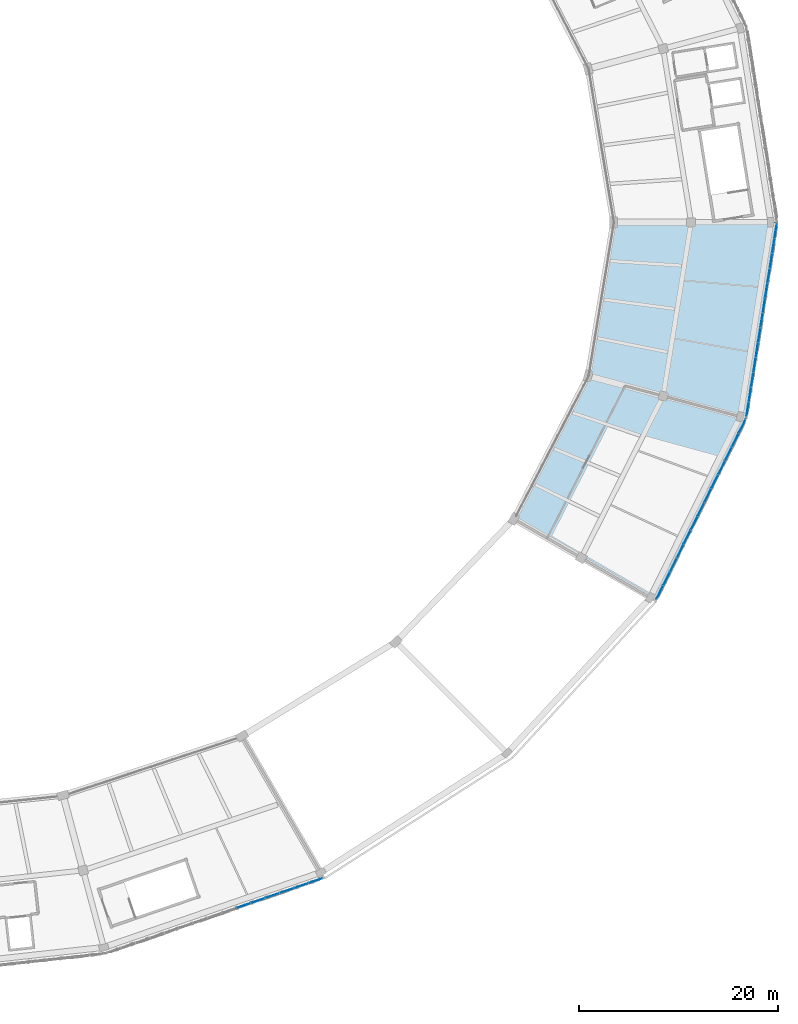
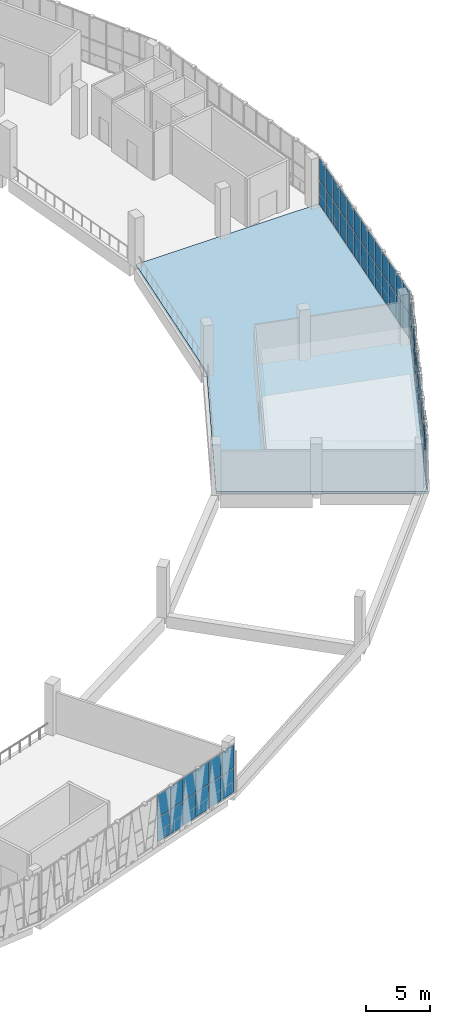
# One storey, part 38 of 64: 64 plates, 1 slab, 3 elements without a shape of their own.
"""IFC4 building model written with IfcOpenShell, lengths in metres."""

from ifc_helpers import new_model, si_unit, direction, frame, origin, origin_2d, place, context, subcontext, project, spatial, polyline, rectangle, outline, extrude, material, layer, layer_set, type_object, element, aggregate, save


model = new_model("IFC4")

# Units and contexts
model_context = context("Model", 3, precision=1e-05, world=origin(), true_north=direction((0.0, 1.0)))
body_context = subcontext(model_context, "Body", "Model", "MODEL_VIEW")
ifc_project = project(units=[si_unit("LENGTHUNIT", "METRE"), si_unit("AREAUNIT", "SQUARE_METRE"), si_unit("VOLUMEUNIT", "CUBIC_METRE"), si_unit("PLANEANGLEUNIT", "RADIAN"), si_unit("MASSUNIT", "GRAM", prefix="KILO")], contexts=[model_context])

# Site, building, storey
site_placement = place(None, origin())
site = spatial("IfcSite", under=ifc_project, at=site_placement, CompositionType="ELEMENT")
building_placement = place(site_placement, origin())
building = spatial("IfcBuilding", under=site, at=building_placement, Name="Zevraka Park Crest Stadium", CompositionType="ELEMENT")
storey_placement = place(building_placement, frame((0.0, 0.0, 24.60009765625)))
storey = spatial("IfcBuildingStorey", under=building, at=storey_placement, Name="L05", CompositionType="ELEMENT", Elevation=24.60009765625)

# Curtain wall, plates
ifc_material_1 = material(Name="Anodised architectural aluminium and laminated safety glass", Category="aluminium")
curtain_wall_type_1 = type_object("IfcCurtainWallType", Name="CW21", PredefinedType="NOTDEFINED", material=ifc_material_1)
curtain_wall_1_placement = place(storey_placement, origin())
curtain_wall_1 = element("IfcCurtainWall", 1, at=curtain_wall_1_placement, inside=storey, type_object=curtain_wall_type_1, Name="Unitised Ring Curtain Wall CW21 L05-23", PredefinedType="NOTDEFINED")
ifc_material_2 = material(Name="Solar-control laminated double glazing", Category="glass")
ifc_layer_1 = layer(ifc_material_2, 0.031982421875)
ifc_layer_set_1 = layer_set([ifc_layer_1], Name="Solar-control laminated double glazing")
plate_type_1 = type_object("IfcPlateType", Name="CP21", PredefinedType="CURTAIN_PANEL", material=ifc_layer_set_1)
plate_1_placement = place(storey_placement, frame((199.96240234375, 73.244140625, 0.06982421875), z_axis=(0.0, 0.0, 1.0), x_axis=(0.155711467527, 0.987802580924, 0.0)))
plate_1 = element("IfcPlate", 2, at=plate_1_placement, type_object=plate_type_1, Name="CW21 panel 1.1", PredefinedType="CURTAIN_PANEL", context=body_context, shape_type="SweptSolid", body=[
    extrude(rectangle(XDim=1.4052734375, YDim=0.031982421875, at=origin_2d()), origin(), (0.0, 0.0, 1.0), 2.294921875),
])
plate_2_placement = place(storey_placement, frame((199.96240234375, 73.244140625, 2.43505859375), z_axis=(0.0, 0.0, 1.0), x_axis=(0.155711467527, 0.987802580924, 0.0)))
plate_2 = element("IfcPlate", 3, at=plate_2_placement, type_object=plate_type_1, Name="CW21 panel 1.2", PredefinedType="CURTAIN_PANEL", context=body_context, shape_type="SweptSolid", body=[
    extrude(rectangle(XDim=1.4052734375, YDim=0.031982421875, at=origin_2d()), origin(), (0.0, 0.0, 1.0), 2.114990234375),
])
plate_3_placement = place(storey_placement, frame((200.19482421875, 74.71875, 0.06982421875), z_axis=(0.0, 0.0, 1.0), x_axis=(0.155711467527, 0.987802580924, 0.0)))
plate_3 = element("IfcPlate", 4, at=plate_3_placement, type_object=plate_type_1, Name="CW21 panel 2.1", PredefinedType="CURTAIN_PANEL", context=body_context, shape_type="SweptSolid", body=[
    extrude(rectangle(XDim=1.440185546875, YDim=0.031982421875, at=origin_2d()), origin(), (0.0, 0.0, 1.0), 2.294921875),
])
plate_4_placement = place(storey_placement, frame((200.19482421875, 74.71875, 2.43505859375), z_axis=(0.0, 0.0, 1.0), x_axis=(0.155711467527, 0.987802580924, 0.0)))
plate_4 = element("IfcPlate", 5, at=plate_4_placement, type_object=plate_type_1, Name="CW21 panel 2.2", PredefinedType="CURTAIN_PANEL", context=body_context, shape_type="SweptSolid", body=[
    extrude(rectangle(XDim=1.440185546875, YDim=0.031982421875, at=origin_2d()), origin(), (0.0, 0.0, 1.0), 2.114990234375),
])
plate_5_placement = place(storey_placement, frame((200.429931640625, 76.21044921875, 0.06982421875), z_axis=(0.0, 0.0, 1.0), x_axis=(0.155711467527, 0.987802580924, 0.0)))
plate_5 = element("IfcPlate", 6, at=plate_5_placement, type_object=plate_type_1, Name="CW21 panel 3.1", PredefinedType="CURTAIN_PANEL", context=body_context, shape_type="SweptSolid", body=[
    extrude(rectangle(XDim=1.440185546875, YDim=0.031982421875, at=origin_2d()), origin(), (0.0, 0.0, 1.0), 2.294921875),
])
plate_6_placement = place(storey_placement, frame((200.429931640625, 76.21044921875, 2.43505859375), z_axis=(0.0, 0.0, 1.0), x_axis=(0.155711467527, 0.987802580924, 0.0)))
plate_6 = element("IfcPlate", 7, at=plate_6_placement, type_object=plate_type_1, Name="CW21 panel 3.2", PredefinedType="CURTAIN_PANEL", context=body_context, shape_type="SweptSolid", body=[
    extrude(rectangle(XDim=1.440185546875, YDim=0.031982421875, at=origin_2d()), origin(), (0.0, 0.0, 1.0), 2.114990234375),
])
plate_7_placement = place(storey_placement, frame((200.6650390625, 77.7021484375, 0.06982421875), z_axis=(0.0, 0.0, 1.0), x_axis=(0.155711467527, 0.987802580924, 0.0)))
plate_7 = element("IfcPlate", 8, at=plate_7_placement, type_object=plate_type_1, Name="CW21 panel 4.1", PredefinedType="CURTAIN_PANEL", context=body_context, shape_type="SweptSolid", body=[
    extrude(rectangle(XDim=1.440185546875, YDim=0.031982421875, at=origin_2d()), origin(), (0.0, 0.0, 1.0), 2.294921875),
])
plate_8_placement = place(storey_placement, frame((200.6650390625, 77.7021484375, 2.43505859375), z_axis=(0.0, 0.0, 1.0), x_axis=(0.155711467527, 0.987802580924, 0.0)))
plate_8 = element("IfcPlate", 9, at=plate_8_placement, type_object=plate_type_1, Name="CW21 panel 4.2", PredefinedType="CURTAIN_PANEL", context=body_context, shape_type="SweptSolid", body=[
    extrude(rectangle(XDim=1.440185546875, YDim=0.031982421875, at=origin_2d()), origin(), (0.0, 0.0, 1.0), 2.114990234375),
])
plate_9_placement = place(storey_placement, frame((200.900146484375, 79.19384765625, 0.06982421875), z_axis=(0.0, 0.0, 1.0), x_axis=(0.155711467527, 0.987802580924, 0.0)))
plate_9 = element("IfcPlate", 10, at=plate_9_placement, type_object=plate_type_1, Name="CW21 panel 5.1", PredefinedType="CURTAIN_PANEL", context=body_context, shape_type="SweptSolid", body=[
    extrude(rectangle(XDim=1.440185546875, YDim=0.031982421875, at=origin_2d()), origin(), (0.0, 0.0, 1.0), 2.294921875),
])
plate_10_placement = place(storey_placement, frame((200.900146484375, 79.19384765625, 2.43505859375), z_axis=(0.0, 0.0, 1.0), x_axis=(0.155711467527, 0.987802580924, 0.0)))
plate_10 = element("IfcPlate", 11, at=plate_10_placement, type_object=plate_type_1, Name="CW21 panel 5.2", PredefinedType="CURTAIN_PANEL", context=body_context, shape_type="SweptSolid", body=[
    extrude(rectangle(XDim=1.440185546875, YDim=0.031982421875, at=origin_2d()), origin(), (0.0, 0.0, 1.0), 2.114990234375),
])
plate_11_placement = place(storey_placement, frame((201.13525390625, 80.685791015625, 0.06982421875), z_axis=(0.0, 0.0, 1.0), x_axis=(0.155711467527, 0.987802580924, 0.0)))
plate_11 = element("IfcPlate", 12, at=plate_11_placement, type_object=plate_type_1, Name="CW21 panel 6.1", PredefinedType="CURTAIN_PANEL", context=body_context, shape_type="SweptSolid", body=[
    extrude(rectangle(XDim=1.440185546875, YDim=0.031982421875, at=origin_2d()), origin(), (0.0, 0.0, 1.0), 2.294921875),
])
plate_12_placement = place(storey_placement, frame((201.13525390625, 80.685791015625, 2.43505859375), z_axis=(0.0, 0.0, 1.0), x_axis=(0.155711467527, 0.987802580924, 0.0)))
plate_12 = element("IfcPlate", 13, at=plate_12_placement, type_object=plate_type_1, Name="CW21 panel 6.2", PredefinedType="CURTAIN_PANEL", context=body_context, shape_type="SweptSolid", body=[
    extrude(rectangle(XDim=1.440185546875, YDim=0.031982421875, at=origin_2d()), origin(), (0.0, 0.0, 1.0), 2.114990234375),
])
plate_13_placement = place(storey_placement, frame((201.37060546875, 82.177490234375, 0.06982421875), z_axis=(0.0, 0.0, 1.0), x_axis=(0.155711467527, 0.987802580924, 0.0)))
plate_13 = element("IfcPlate", 14, at=plate_13_placement, type_object=plate_type_1, Name="CW21 panel 7.1", PredefinedType="CURTAIN_PANEL", context=body_context, shape_type="SweptSolid", body=[
    extrude(rectangle(XDim=1.440185546875, YDim=0.031982421875, at=origin_2d()), origin(), (0.0, 0.0, 1.0), 2.294921875),
])
plate_14_placement = place(storey_placement, frame((201.37060546875, 82.177490234375, 2.43505859375), z_axis=(0.0, 0.0, 1.0), x_axis=(0.155711467527, 0.987802580924, 0.0)))
plate_14 = element("IfcPlate", 15, at=plate_14_placement, type_object=plate_type_1, Name="CW21 panel 7.2", PredefinedType="CURTAIN_PANEL", context=body_context, shape_type="SweptSolid", body=[
    extrude(rectangle(XDim=1.440185546875, YDim=0.031982421875, at=origin_2d()), origin(), (0.0, 0.0, 1.0), 2.114990234375),
])
plate_15_placement = place(storey_placement, frame((201.605712890625, 83.669189453125, 0.06982421875), z_axis=(0.0, 0.0, 1.0), x_axis=(0.155711467527, 0.987802580924, 0.0)))
plate_15 = element("IfcPlate", 16, at=plate_15_placement, type_object=plate_type_1, Name="CW21 panel 8.1", PredefinedType="CURTAIN_PANEL", context=body_context, shape_type="SweptSolid", body=[
    extrude(rectangle(XDim=1.440185546875, YDim=0.031982421875, at=origin_2d()), origin(), (0.0, 0.0, 1.0), 2.294921875),
])
plate_16_placement = place(storey_placement, frame((201.605712890625, 83.669189453125, 2.43505859375), z_axis=(0.0, 0.0, 1.0), x_axis=(0.155711467527, 0.987802580924, 0.0)))
plate_16 = element("IfcPlate", 17, at=plate_16_placement, type_object=plate_type_1, Name="CW21 panel 8.2", PredefinedType="CURTAIN_PANEL", context=body_context, shape_type="SweptSolid", body=[
    extrude(rectangle(XDim=1.440185546875, YDim=0.031982421875, at=origin_2d()), origin(), (0.0, 0.0, 1.0), 2.114990234375),
])
plate_17_placement = place(storey_placement, frame((201.8408203125, 85.1611328125, 0.06982421875), z_axis=(0.0, 0.0, 1.0), x_axis=(0.155711467527, 0.987802580924, 0.0)))
plate_17 = element("IfcPlate", 18, at=plate_17_placement, type_object=plate_type_1, Name="CW21 panel 9.1", PredefinedType="CURTAIN_PANEL", context=body_context, shape_type="SweptSolid", body=[
    extrude(rectangle(XDim=1.440185546875, YDim=0.031982421875, at=origin_2d()), origin(), (0.0, 0.0, 1.0), 2.294921875),
])
plate_18_placement = place(storey_placement, frame((201.8408203125, 85.1611328125, 2.43505859375), z_axis=(0.0, 0.0, 1.0), x_axis=(0.155711467527, 0.987802580924, 0.0)))
plate_18 = element("IfcPlate", 19, at=plate_18_placement, type_object=plate_type_1, Name="CW21 panel 9.2", PredefinedType="CURTAIN_PANEL", context=body_context, shape_type="SweptSolid", body=[
    extrude(rectangle(XDim=1.440185546875, YDim=0.031982421875, at=origin_2d()), origin(), (0.0, 0.0, 1.0), 2.114990234375),
])
plate_19_placement = place(storey_placement, frame((202.075927734375, 86.65283203125, 0.06982421875), z_axis=(0.0, 0.0, 1.0), x_axis=(0.155711467527, 0.987802580924, 0.0)))
plate_19 = element("IfcPlate", 20, at=plate_19_placement, type_object=plate_type_1, Name="CW21 panel 10.1", PredefinedType="CURTAIN_PANEL", context=body_context, shape_type="SweptSolid", body=[
    extrude(rectangle(XDim=1.440185546875, YDim=0.031982421875, at=origin_2d()), origin(), (0.0, 0.0, 1.0), 2.294921875),
])
plate_20_placement = place(storey_placement, frame((202.075927734375, 86.65283203125, 2.43505859375), z_axis=(0.0, 0.0, 1.0), x_axis=(0.155711467527, 0.987802580924, 0.0)))
plate_20 = element("IfcPlate", 21, at=plate_20_placement, type_object=plate_type_1, Name="CW21 panel 10.2", PredefinedType="CURTAIN_PANEL", context=body_context, shape_type="SweptSolid", body=[
    extrude(rectangle(XDim=1.440185546875, YDim=0.031982421875, at=origin_2d()), origin(), (0.0, 0.0, 1.0), 2.114990234375),
])
plate_21_placement = place(storey_placement, frame((202.31103515625, 88.14453125, 0.06982421875), z_axis=(0.0, 0.0, 1.0), x_axis=(0.155711467527, 0.987802580924, 0.0)))
plate_21 = element("IfcPlate", 22, at=plate_21_placement, type_object=plate_type_1, Name="CW21 panel 11.1", PredefinedType="CURTAIN_PANEL", context=body_context, shape_type="SweptSolid", body=[
    extrude(rectangle(XDim=1.440185546875, YDim=0.031982421875, at=origin_2d()), origin(), (0.0, 0.0, 1.0), 2.294921875),
])
plate_22_placement = place(storey_placement, frame((202.31103515625, 88.14453125, 2.43505859375), z_axis=(0.0, 0.0, 1.0), x_axis=(0.155711467527, 0.987802580924, 0.0)))
plate_22 = element("IfcPlate", 23, at=plate_22_placement, type_object=plate_type_1, Name="CW21 panel 11.2", PredefinedType="CURTAIN_PANEL", context=body_context, shape_type="SweptSolid", body=[
    extrude(rectangle(XDim=1.440185546875, YDim=0.031982421875, at=origin_2d()), origin(), (0.0, 0.0, 1.0), 2.114990234375),
])
plate_23_placement = place(storey_placement, frame((202.54638671875, 89.63623046875, 0.06982421875), z_axis=(0.0, 0.0, 1.0), x_axis=(0.155711467527, 0.987802580924, 0.0)))
plate_23 = element("IfcPlate", 24, at=plate_23_placement, type_object=plate_type_1, Name="CW21 panel 12.1", PredefinedType="CURTAIN_PANEL", context=body_context, shape_type="SweptSolid", body=[
    extrude(rectangle(XDim=1.440185546875, YDim=0.031982421875, at=origin_2d()), origin(), (0.0, 0.0, 1.0), 2.294921875),
])
plate_24_placement = place(storey_placement, frame((202.54638671875, 89.63623046875, 2.43505859375), z_axis=(0.0, 0.0, 1.0), x_axis=(0.155711467527, 0.987802580924, 0.0)))
plate_24 = element("IfcPlate", 25, at=plate_24_placement, type_object=plate_type_1, Name="CW21 panel 12.2", PredefinedType="CURTAIN_PANEL", context=body_context, shape_type="SweptSolid", body=[
    extrude(rectangle(XDim=1.440185546875, YDim=0.031982421875, at=origin_2d()), origin(), (0.0, 0.0, 1.0), 2.114990234375),
])
plate_25_placement = place(storey_placement, frame((202.77880859375, 91.11083984375, 0.06982421875), z_axis=(0.0, 0.0, 1.0), x_axis=(0.155711467527, 0.987802580924, 0.0)))
plate_25 = element("IfcPlate", 26, at=plate_25_placement, type_object=plate_type_1, Name="CW21 panel 13.1", PredefinedType="CURTAIN_PANEL", context=body_context, shape_type="SweptSolid", body=[
    extrude(rectangle(XDim=1.4052734375, YDim=0.031982421875, at=origin_2d()), origin(), (0.0, 0.0, 1.0), 2.294921875),
])
plate_26_placement = place(storey_placement, frame((202.77880859375, 91.11083984375, 2.43505859375), z_axis=(0.0, 0.0, 1.0), x_axis=(0.155711467527, 0.987802580924, 0.0)))
plate_26 = element("IfcPlate", 27, at=plate_26_placement, type_object=plate_type_1, Name="CW21 panel 13.2", PredefinedType="CURTAIN_PANEL", context=body_context, shape_type="SweptSolid", body=[
    extrude(rectangle(XDim=1.4052734375, YDim=0.031982421875, at=origin_2d()), origin(), (0.0, 0.0, 1.0), 2.114990234375),
])
aggregate(curtain_wall_1, [plate_1, plate_2, plate_3, plate_4, plate_5, plate_6, plate_7, plate_8, plate_9, plate_10, plate_11, plate_12, plate_13, plate_14, plate_15, plate_16, plate_17, plate_18, plate_19, plate_20, plate_21, plate_22, plate_23, plate_24, plate_25, plate_26])

ifc_material_3 = material(Name="Anodised architectural aluminium and laminated safety glass", Category="aluminium")
curtain_wall_type_2 = type_object("IfcCurtainWallType", Name="CW22", PredefinedType="NOTDEFINED", material=ifc_material_3)
curtain_wall_2_placement = place(storey_placement, origin())
curtain_wall_2 = element("IfcCurtainWall", 28, at=curtain_wall_2_placement, inside=storey, type_object=curtain_wall_type_2, Name="Unitised Ring Curtain Wall CW22 L05-19", PredefinedType="NOTDEFINED")
ifc_material_4 = material(Name="Solar-control laminated double glazing", Category="glass")
ifc_layer_2 = layer(ifc_material_4, 0.031982421875)
ifc_layer_set_2 = layer_set([ifc_layer_2], Name="Solar-control laminated double glazing")
plate_type_2 = type_object("IfcPlateType", Name="CP22", PredefinedType="CURTAIN_PANEL", material=ifc_layer_set_2)
plate_27_placement = place(storey_placement, frame((149.3916015625, 23.461669921875, 0.059814453125), z_axis=(0.0, 0.0, 1.0), x_axis=(0.945048755979, 0.326929424834, 0.0)))
plate_27 = element("IfcPlate", 29, at=plate_27_placement, type_object=plate_type_2, Name="CW22 panel 10.1", PredefinedType="CURTAIN_PANEL", context=body_context, shape_type="SweptSolid", body=[
    extrude(rectangle(XDim=1.469482421875, YDim=0.031982421875, at=origin_2d()), origin(), (0.0, 0.0, 1.0), 2.31005859375),
])
plate_28_placement = place(storey_placement, frame((149.3916015625, 23.461669921875, 2.429931640625), z_axis=(0.0, 0.0, 1.0), x_axis=(0.945048755979, 0.326929424834, 0.0)))
plate_28 = element("IfcPlate", 30, at=plate_28_placement, type_object=plate_type_2, Name="CW22 panel 10.2", PredefinedType="CURTAIN_PANEL", context=body_context, shape_type="SweptSolid", body=[
    extrude(rectangle(XDim=1.469482421875, YDim=0.031982421875, at=origin_2d()), origin(), (0.0, 0.0, 1.0), 2.1298828125),
])
plate_29_placement = place(storey_placement, frame((150.837158203125, 23.961669921875, 0.059814453125), z_axis=(0.0, 0.0, 1.0), x_axis=(0.945048755979, 0.326929424834, 0.0)))
plate_29 = element("IfcPlate", 31, at=plate_29_placement, type_object=plate_type_2, Name="CW22 panel 11.1", PredefinedType="CURTAIN_PANEL", context=body_context, shape_type="SweptSolid", body=[
    extrude(rectangle(XDim=1.469482421875, YDim=0.031982421875, at=origin_2d()), origin(), (0.0, 0.0, 1.0), 2.31005859375),
])
plate_30_placement = place(storey_placement, frame((150.837158203125, 23.961669921875, 2.429931640625), z_axis=(0.0, 0.0, 1.0), x_axis=(0.945048755979, 0.326929424834, 0.0)))
plate_30 = element("IfcPlate", 32, at=plate_30_placement, type_object=plate_type_2, Name="CW22 panel 11.2", PredefinedType="CURTAIN_PANEL", context=body_context, shape_type="SweptSolid", body=[
    extrude(rectangle(XDim=1.469482421875, YDim=0.031982421875, at=origin_2d()), origin(), (0.0, 0.0, 1.0), 2.1298828125),
])
plate_31_placement = place(storey_placement, frame((152.28271484375, 24.461669921875, 0.059814453125), z_axis=(0.0, 0.0, 1.0), x_axis=(0.945048755979, 0.326929424834, 0.0)))
plate_31 = element("IfcPlate", 33, at=plate_31_placement, type_object=plate_type_2, Name="CW22 panel 12.1", PredefinedType="CURTAIN_PANEL", context=body_context, shape_type="SweptSolid", body=[
    extrude(rectangle(XDim=1.469482421875, YDim=0.031982421875, at=origin_2d()), origin(), (0.0, 0.0, 1.0), 2.31005859375),
])
plate_32_placement = place(storey_placement, frame((152.28271484375, 24.461669921875, 2.429931640625), z_axis=(0.0, 0.0, 1.0), x_axis=(0.945048755979, 0.326929424834, 0.0)))
plate_32 = element("IfcPlate", 34, at=plate_32_placement, type_object=plate_type_2, Name="CW22 panel 12.2", PredefinedType="CURTAIN_PANEL", context=body_context, shape_type="SweptSolid", body=[
    extrude(rectangle(XDim=1.469482421875, YDim=0.031982421875, at=origin_2d()), origin(), (0.0, 0.0, 1.0), 2.1298828125),
])
plate_33_placement = place(storey_placement, frame((153.728271484375, 24.9619140625, 0.059814453125), z_axis=(0.0, 0.0, 1.0), x_axis=(0.945048755979, 0.326929424834, 0.0)))
plate_33 = element("IfcPlate", 35, at=plate_33_placement, type_object=plate_type_2, Name="CW22 panel 13.1", PredefinedType="CURTAIN_PANEL", context=body_context, shape_type="SweptSolid", body=[
    extrude(rectangle(XDim=1.469482421875, YDim=0.031982421875, at=origin_2d()), origin(), (0.0, 0.0, 1.0), 2.31005859375),
])
plate_34_placement = place(storey_placement, frame((153.728271484375, 24.9619140625, 2.429931640625), z_axis=(0.0, 0.0, 1.0), x_axis=(0.945048755979, 0.326929424834, 0.0)))
plate_34 = element("IfcPlate", 36, at=plate_34_placement, type_object=plate_type_2, Name="CW22 panel 13.2", PredefinedType="CURTAIN_PANEL", context=body_context, shape_type="SweptSolid", body=[
    extrude(rectangle(XDim=1.469482421875, YDim=0.031982421875, at=origin_2d()), origin(), (0.0, 0.0, 1.0), 2.1298828125),
])
plate_35_placement = place(storey_placement, frame((155.173583984375, 25.4619140625, 0.059814453125), z_axis=(0.0, 0.0, 1.0), x_axis=(0.945048755979, 0.326929424834, 0.0)))
plate_35 = element("IfcPlate", 37, at=plate_35_placement, type_object=plate_type_2, Name="CW22 panel 14.1", PredefinedType="CURTAIN_PANEL", context=body_context, shape_type="SweptSolid", body=[
    extrude(rectangle(XDim=1.469482421875, YDim=0.031982421875, at=origin_2d()), origin(), (0.0, 0.0, 1.0), 2.31005859375),
])
plate_36_placement = place(storey_placement, frame((155.173583984375, 25.4619140625, 2.429931640625), z_axis=(0.0, 0.0, 1.0), x_axis=(0.945048755979, 0.326929424834, 0.0)))
plate_36 = element("IfcPlate", 38, at=plate_36_placement, type_object=plate_type_2, Name="CW22 panel 14.2", PredefinedType="CURTAIN_PANEL", context=body_context, shape_type="SweptSolid", body=[
    extrude(rectangle(XDim=1.469482421875, YDim=0.031982421875, at=origin_2d()), origin(), (0.0, 0.0, 1.0), 2.1298828125),
])
plate_37_placement = place(storey_placement, frame((156.60498046875, 25.95703125, 0.059814453125), z_axis=(0.0, 0.0, 1.0), x_axis=(0.945048755979, 0.326929424834, 0.0)))
plate_37 = element("IfcPlate", 39, at=plate_37_placement, type_object=plate_type_2, Name="CW22 panel 15.1", PredefinedType="CURTAIN_PANEL", context=body_context, shape_type="SweptSolid", body=[
    extrude(rectangle(XDim=1.439697265625, YDim=0.031982421875, at=origin_2d()), origin(), (0.0, 0.0, 1.0), 2.31005859375),
])
plate_38_placement = place(storey_placement, frame((156.60498046875, 25.95703125, 2.429931640625), z_axis=(0.0, 0.0, 1.0), x_axis=(0.945048755979, 0.326929424834, 0.0)))
plate_38 = element("IfcPlate", 40, at=plate_38_placement, type_object=plate_type_2, Name="CW22 panel 15.2", PredefinedType="CURTAIN_PANEL", context=body_context, shape_type="SweptSolid", body=[
    extrude(rectangle(XDim=1.439697265625, YDim=0.031982421875, at=origin_2d()), origin(), (0.0, 0.0, 1.0), 2.1298828125),
])
aggregate(curtain_wall_2, [plate_27, plate_28, plate_29, plate_30, plate_31, plate_32, plate_33, plate_34, plate_35, plate_36, plate_37, plate_38])

curtain_wall_3_placement = place(storey_placement, origin())
curtain_wall_3 = element("IfcCurtainWall", 41, at=curtain_wall_3_placement, inside=storey, type_object=curtain_wall_type_2, Name="Unitised Ring Curtain Wall CW22 L05-22", PredefinedType="NOTDEFINED")
plate_39_placement = place(storey_placement, frame((191.150390625, 54.869873046875, 0.059814453125), z_axis=(0.0, 0.0, 1.0), x_axis=(0.444297471499, 0.895879320455, 0.0)))
plate_39 = element("IfcPlate", 42, at=plate_39_placement, type_object=plate_type_2, Name="CW22 panel 1.1", PredefinedType="CURTAIN_PANEL", context=body_context, shape_type="SweptSolid", body=[
    extrude(rectangle(XDim=1.46240234375, YDim=0.031982421875, at=origin_2d()), origin(), (0.0, 0.0, 1.0), 2.31005859375),
])
plate_40_placement = place(storey_placement, frame((191.150390625, 54.869873046875, 2.429931640625), z_axis=(0.0, 0.0, 1.0), x_axis=(0.444297471499, 0.895879320455, 0.0)))
plate_40 = element("IfcPlate", 43, at=plate_40_placement, type_object=plate_type_2, Name="CW22 panel 1.2", PredefinedType="CURTAIN_PANEL", context=body_context, shape_type="SweptSolid", body=[
    extrude(rectangle(XDim=1.46240234375, YDim=0.031982421875, at=origin_2d()), origin(), (0.0, 0.0, 1.0), 2.1298828125),
])
plate_41_placement = place(storey_placement, frame((191.83349609375, 56.2470703125, 0.059814453125), z_axis=(0.0, 0.0, 1.0), x_axis=(0.444297471499, 0.895879320455, 0.0)))
plate_41 = element("IfcPlate", 44, at=plate_41_placement, type_object=plate_type_2, Name="CW22 panel 2.1", PredefinedType="CURTAIN_PANEL", context=body_context, shape_type="SweptSolid", body=[
    extrude(rectangle(XDim=1.492431640625, YDim=0.031982421875, at=origin_2d()), origin(), (0.0, 0.0, 1.0), 2.31005859375),
])
plate_42_placement = place(storey_placement, frame((191.83349609375, 56.2470703125, 2.429931640625), z_axis=(0.0, 0.0, 1.0), x_axis=(0.444297471499, 0.895879320455, 0.0)))
plate_42 = element("IfcPlate", 45, at=plate_42_placement, type_object=plate_type_2, Name="CW22 panel 2.2", PredefinedType="CURTAIN_PANEL", context=body_context, shape_type="SweptSolid", body=[
    extrude(rectangle(XDim=1.492431640625, YDim=0.031982421875, at=origin_2d()), origin(), (0.0, 0.0, 1.0), 2.1298828125),
])
plate_43_placement = place(storey_placement, frame((192.523193359375, 57.6376953125, 0.059814453125), z_axis=(0.0, 0.0, 1.0), x_axis=(0.444297471499, 0.895879320455, 0.0)))
plate_43 = element("IfcPlate", 46, at=plate_43_placement, type_object=plate_type_2, Name="CW22 panel 3.1", PredefinedType="CURTAIN_PANEL", context=body_context, shape_type="SweptSolid", body=[
    extrude(rectangle(XDim=1.492431640625, YDim=0.031982421875, at=origin_2d()), origin(), (0.0, 0.0, 1.0), 2.31005859375),
])
plate_44_placement = place(storey_placement, frame((192.523193359375, 57.6376953125, 2.429931640625), z_axis=(0.0, 0.0, 1.0), x_axis=(0.444297471499, 0.895879320455, 0.0)))
plate_44 = element("IfcPlate", 47, at=plate_44_placement, type_object=plate_type_2, Name="CW22 panel 3.2", PredefinedType="CURTAIN_PANEL", context=body_context, shape_type="SweptSolid", body=[
    extrude(rectangle(XDim=1.492431640625, YDim=0.031982421875, at=origin_2d()), origin(), (0.0, 0.0, 1.0), 2.1298828125),
])
plate_45_placement = place(storey_placement, frame((193.212890625, 59.0283203125, 0.059814453125), z_axis=(0.0, 0.0, 1.0), x_axis=(0.444297471499, 0.895879320455, 0.0)))
plate_45 = element("IfcPlate", 48, at=plate_45_placement, type_object=plate_type_2, Name="CW22 panel 4.1", PredefinedType="CURTAIN_PANEL", context=body_context, shape_type="SweptSolid", body=[
    extrude(rectangle(XDim=1.492431640625, YDim=0.031982421875, at=origin_2d()), origin(), (0.0, 0.0, 1.0), 2.31005859375),
])
plate_46_placement = place(storey_placement, frame((193.212890625, 59.0283203125, 2.429931640625), z_axis=(0.0, 0.0, 1.0), x_axis=(0.444297471499, 0.895879320455, 0.0)))
plate_46 = element("IfcPlate", 49, at=plate_46_placement, type_object=plate_type_2, Name="CW22 panel 4.2", PredefinedType="CURTAIN_PANEL", context=body_context, shape_type="SweptSolid", body=[
    extrude(rectangle(XDim=1.492431640625, YDim=0.031982421875, at=origin_2d()), origin(), (0.0, 0.0, 1.0), 2.1298828125),
])
plate_47_placement = place(storey_placement, frame((193.902587890625, 60.419189453125, 0.059814453125), z_axis=(0.0, 0.0, 1.0), x_axis=(0.444297471499, 0.895879320455, 0.0)))
plate_47 = element("IfcPlate", 50, at=plate_47_placement, type_object=plate_type_2, Name="CW22 panel 5.1", PredefinedType="CURTAIN_PANEL", context=body_context, shape_type="SweptSolid", body=[
    extrude(rectangle(XDim=1.492431640625, YDim=0.031982421875, at=origin_2d()), origin(), (0.0, 0.0, 1.0), 2.31005859375),
])
plate_48_placement = place(storey_placement, frame((193.902587890625, 60.419189453125, 2.429931640625), z_axis=(0.0, 0.0, 1.0), x_axis=(0.444297471499, 0.895879320455, 0.0)))
plate_48 = element("IfcPlate", 51, at=plate_48_placement, type_object=plate_type_2, Name="CW22 panel 5.2", PredefinedType="CURTAIN_PANEL", context=body_context, shape_type="SweptSolid", body=[
    extrude(rectangle(XDim=1.492431640625, YDim=0.031982421875, at=origin_2d()), origin(), (0.0, 0.0, 1.0), 2.1298828125),
])
plate_49_placement = place(storey_placement, frame((194.59228515625, 61.809814453125, 0.059814453125), z_axis=(0.0, 0.0, 1.0), x_axis=(0.444297471499, 0.895879320455, 0.0)))
plate_49 = element("IfcPlate", 52, at=plate_49_placement, type_object=plate_type_2, Name="CW22 panel 6.1", PredefinedType="CURTAIN_PANEL", context=body_context, shape_type="SweptSolid", body=[
    extrude(rectangle(XDim=1.492431640625, YDim=0.031982421875, at=origin_2d()), origin(), (0.0, 0.0, 1.0), 2.31005859375),
])
plate_50_placement = place(storey_placement, frame((194.59228515625, 61.809814453125, 2.429931640625), z_axis=(0.0, 0.0, 1.0), x_axis=(0.444297471499, 0.895879320455, 0.0)))
plate_50 = element("IfcPlate", 53, at=plate_50_placement, type_object=plate_type_2, Name="CW22 panel 6.2", PredefinedType="CURTAIN_PANEL", context=body_context, shape_type="SweptSolid", body=[
    extrude(rectangle(XDim=1.492431640625, YDim=0.031982421875, at=origin_2d()), origin(), (0.0, 0.0, 1.0), 2.1298828125),
])
plate_51_placement = place(storey_placement, frame((195.281982421875, 63.200439453125, 0.059814453125), z_axis=(0.0, 0.0, 1.0), x_axis=(0.444297471499, 0.895879320455, 0.0)))
plate_51 = element("IfcPlate", 54, at=plate_51_placement, type_object=plate_type_2, Name="CW22 panel 7.1", PredefinedType="CURTAIN_PANEL", context=body_context, shape_type="SweptSolid", body=[
    extrude(rectangle(XDim=1.492431640625, YDim=0.031982421875, at=origin_2d()), origin(), (0.0, 0.0, 1.0), 2.31005859375),
])
plate_52_placement = place(storey_placement, frame((195.281982421875, 63.200439453125, 2.429931640625), z_axis=(0.0, 0.0, 1.0), x_axis=(0.444297471499, 0.895879320455, 0.0)))
plate_52 = element("IfcPlate", 55, at=plate_52_placement, type_object=plate_type_2, Name="CW22 panel 7.2", PredefinedType="CURTAIN_PANEL", context=body_context, shape_type="SweptSolid", body=[
    extrude(rectangle(XDim=1.492431640625, YDim=0.031982421875, at=origin_2d()), origin(), (0.0, 0.0, 1.0), 2.1298828125),
])
plate_53_placement = place(storey_placement, frame((195.9716796875, 64.59130859375, 0.059814453125), z_axis=(0.0, 0.0, 1.0), x_axis=(0.444297471499, 0.895879320455, 0.0)))
plate_53 = element("IfcPlate", 56, at=plate_53_placement, type_object=plate_type_2, Name="CW22 panel 8.1", PredefinedType="CURTAIN_PANEL", context=body_context, shape_type="SweptSolid", body=[
    extrude(rectangle(XDim=1.492431640625, YDim=0.031982421875, at=origin_2d()), origin(), (0.0, 0.0, 1.0), 2.31005859375),
])
plate_54_placement = place(storey_placement, frame((195.9716796875, 64.59130859375, 2.429931640625), z_axis=(0.0, 0.0, 1.0), x_axis=(0.444297471499, 0.895879320455, 0.0)))
plate_54 = element("IfcPlate", 57, at=plate_54_placement, type_object=plate_type_2, Name="CW22 panel 8.2", PredefinedType="CURTAIN_PANEL", context=body_context, shape_type="SweptSolid", body=[
    extrude(rectangle(XDim=1.492431640625, YDim=0.031982421875, at=origin_2d()), origin(), (0.0, 0.0, 1.0), 2.1298828125),
])
plate_55_placement = place(storey_placement, frame((196.661376953125, 65.98193359375, 0.059814453125), z_axis=(0.0, 0.0, 1.0), x_axis=(0.444297471499, 0.895879320455, 0.0)))
plate_55 = element("IfcPlate", 58, at=plate_55_placement, type_object=plate_type_2, Name="CW22 panel 9.1", PredefinedType="CURTAIN_PANEL", context=body_context, shape_type="SweptSolid", body=[
    extrude(rectangle(XDim=1.492431640625, YDim=0.031982421875, at=origin_2d()), origin(), (0.0, 0.0, 1.0), 2.31005859375),
])
plate_56_placement = place(storey_placement, frame((196.661376953125, 65.98193359375, 2.429931640625), z_axis=(0.0, 0.0, 1.0), x_axis=(0.444297471499, 0.895879320455, 0.0)))
plate_56 = element("IfcPlate", 59, at=plate_56_placement, type_object=plate_type_2, Name="CW22 panel 9.2", PredefinedType="CURTAIN_PANEL", context=body_context, shape_type="SweptSolid", body=[
    extrude(rectangle(XDim=1.492431640625, YDim=0.031982421875, at=origin_2d()), origin(), (0.0, 0.0, 1.0), 2.1298828125),
])
plate_57_placement = place(storey_placement, frame((197.35107421875, 67.37255859375, 0.059814453125), z_axis=(0.0, 0.0, 1.0), x_axis=(0.444297471499, 0.895879320455, 0.0)))
plate_57 = element("IfcPlate", 60, at=plate_57_placement, type_object=plate_type_2, Name="CW22 panel 10.1", PredefinedType="CURTAIN_PANEL", context=body_context, shape_type="SweptSolid", body=[
    extrude(rectangle(XDim=1.492431640625, YDim=0.031982421875, at=origin_2d()), origin(), (0.0, 0.0, 1.0), 2.31005859375),
])
plate_58_placement = place(storey_placement, frame((197.35107421875, 67.37255859375, 2.429931640625), z_axis=(0.0, 0.0, 1.0), x_axis=(0.444297471499, 0.895879320455, 0.0)))
plate_58 = element("IfcPlate", 61, at=plate_58_placement, type_object=plate_type_2, Name="CW22 panel 10.2", PredefinedType="CURTAIN_PANEL", context=body_context, shape_type="SweptSolid", body=[
    extrude(rectangle(XDim=1.492431640625, YDim=0.031982421875, at=origin_2d()), origin(), (0.0, 0.0, 1.0), 2.1298828125),
])
plate_59_placement = place(storey_placement, frame((198.040771484375, 68.76318359375, 0.059814453125), z_axis=(0.0, 0.0, 1.0), x_axis=(0.444297471499, 0.895879320455, 0.0)))
plate_59 = element("IfcPlate", 62, at=plate_59_placement, type_object=plate_type_2, Name="CW22 panel 11.1", PredefinedType="CURTAIN_PANEL", context=body_context, shape_type="SweptSolid", body=[
    extrude(rectangle(XDim=1.492431640625, YDim=0.031982421875, at=origin_2d()), origin(), (0.0, 0.0, 1.0), 2.31005859375),
])
plate_60_placement = place(storey_placement, frame((198.040771484375, 68.76318359375, 2.429931640625), z_axis=(0.0, 0.0, 1.0), x_axis=(0.444297471499, 0.895879320455, 0.0)))
plate_60 = element("IfcPlate", 63, at=plate_60_placement, type_object=plate_type_2, Name="CW22 panel 11.2", PredefinedType="CURTAIN_PANEL", context=body_context, shape_type="SweptSolid", body=[
    extrude(rectangle(XDim=1.492431640625, YDim=0.031982421875, at=origin_2d()), origin(), (0.0, 0.0, 1.0), 2.1298828125),
])
plate_61_placement = place(storey_placement, frame((198.73046875, 70.154052734375, 0.059814453125), z_axis=(0.0, 0.0, 1.0), x_axis=(0.444297471499, 0.895879320455, 0.0)))
plate_61 = element("IfcPlate", 64, at=plate_61_placement, type_object=plate_type_2, Name="CW22 panel 12.1", PredefinedType="CURTAIN_PANEL", context=body_context, shape_type="SweptSolid", body=[
    extrude(rectangle(XDim=1.492431640625, YDim=0.031982421875, at=origin_2d()), origin(), (0.0, 0.0, 1.0), 2.31005859375),
])
plate_62_placement = place(storey_placement, frame((198.73046875, 70.154052734375, 2.429931640625), z_axis=(0.0, 0.0, 1.0), x_axis=(0.444297471499, 0.895879320455, 0.0)))
plate_62 = element("IfcPlate", 65, at=plate_62_placement, type_object=plate_type_2, Name="CW22 panel 12.2", PredefinedType="CURTAIN_PANEL", context=body_context, shape_type="SweptSolid", body=[
    extrude(rectangle(XDim=1.492431640625, YDim=0.031982421875, at=origin_2d()), origin(), (0.0, 0.0, 1.0), 2.1298828125),
])
plate_63_placement = place(storey_placement, frame((199.41357421875, 71.53125, 0.059814453125), z_axis=(0.0, 0.0, 1.0), x_axis=(0.444297471499, 0.895879320455, 0.0)))
plate_63 = element("IfcPlate", 66, at=plate_63_placement, type_object=plate_type_2, Name="CW22 panel 13.1", PredefinedType="CURTAIN_PANEL", context=body_context, shape_type="SweptSolid", body=[
    extrude(rectangle(XDim=1.46240234375, YDim=0.031982421875, at=origin_2d()), origin(), (0.0, 0.0, 1.0), 2.31005859375),
])
plate_64_placement = place(storey_placement, frame((199.41357421875, 71.53125, 2.429931640625), z_axis=(0.0, 0.0, 1.0), x_axis=(0.444297471499, 0.895879320455, 0.0)))
plate_64 = element("IfcPlate", 67, at=plate_64_placement, type_object=plate_type_2, Name="CW22 panel 13.2", PredefinedType="CURTAIN_PANEL", context=body_context, shape_type="SweptSolid", body=[
    extrude(rectangle(XDim=1.46240234375, YDim=0.031982421875, at=origin_2d()), origin(), (0.0, 0.0, 1.0), 2.1298828125),
])
aggregate(curtain_wall_3, [plate_39, plate_40, plate_41, plate_42, plate_43, plate_44, plate_45, plate_46, plate_47, plate_48, plate_49, plate_50, plate_51, plate_52, plate_53, plate_54, plate_55, plate_56, plate_57, plate_58, plate_59, plate_60, plate_61, plate_62, plate_63, plate_64])

# Slab
ifc_material_5 = material(Name="Concrete C35/45", Category="concrete")
ifc_layer_3 = layer(ifc_material_5, 0.260009765625)
ifc_layer_set_3 = layer_set([ifc_layer_3], Name="Concrete C35/45")
slab_type = type_object("IfcSlabType", Name="FS03", PredefinedType="FLOOR", material=ifc_layer_set_3)
slab_placement = place(storey_placement, frame((0.0, 0.0, -0.260009765625)))
element("IfcSlab", 68, at=slab_placement, inside=storey, type_object=slab_type, Name="Bowl Concourse Ring Slab L05 Q4-SE-2", PredefinedType="FLOOR", context=body_context, shape_type="SweptSolid", body=[
    extrude(outline(polyline([(176.51904296875, 62.25), (183.9609375, 76.60009765625), (186.5, 92.0), (203.0, 92.0), (199.89892578125, 72.330078125), (190.80810546875, 54.0), (176.51904296875, 62.25)])), origin(), (0.0, 0.0, 1.0), 0.260009765625),
])

save(model, "model.ifc")
